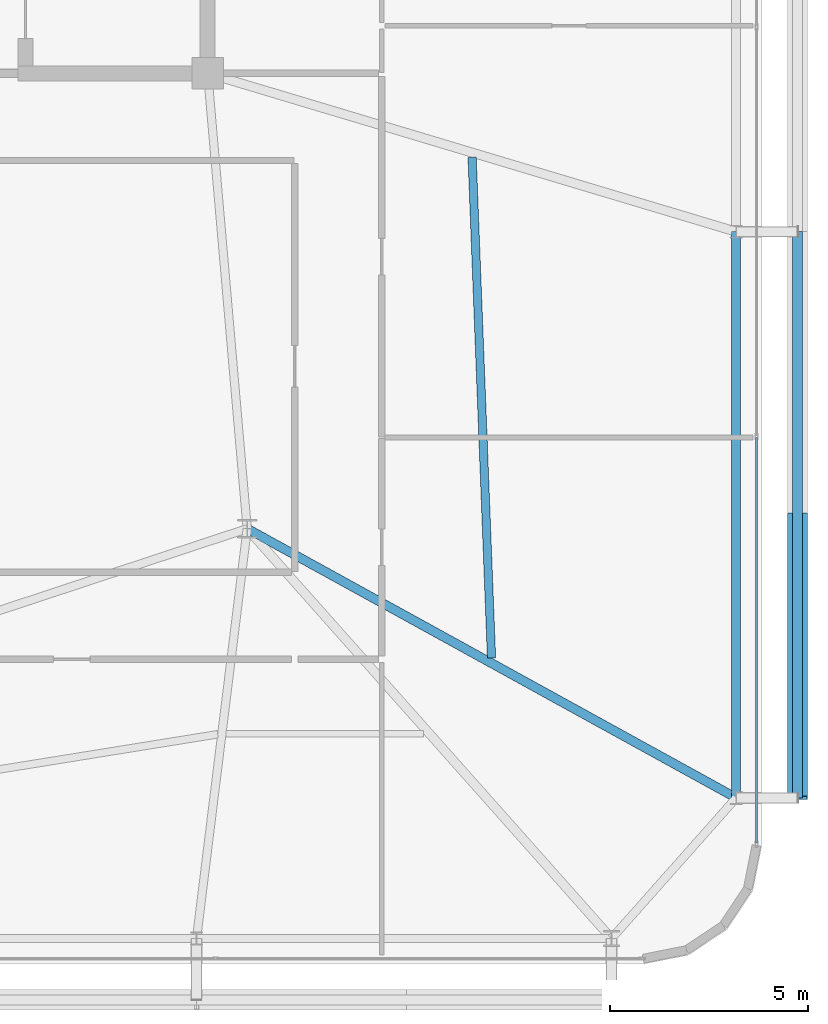
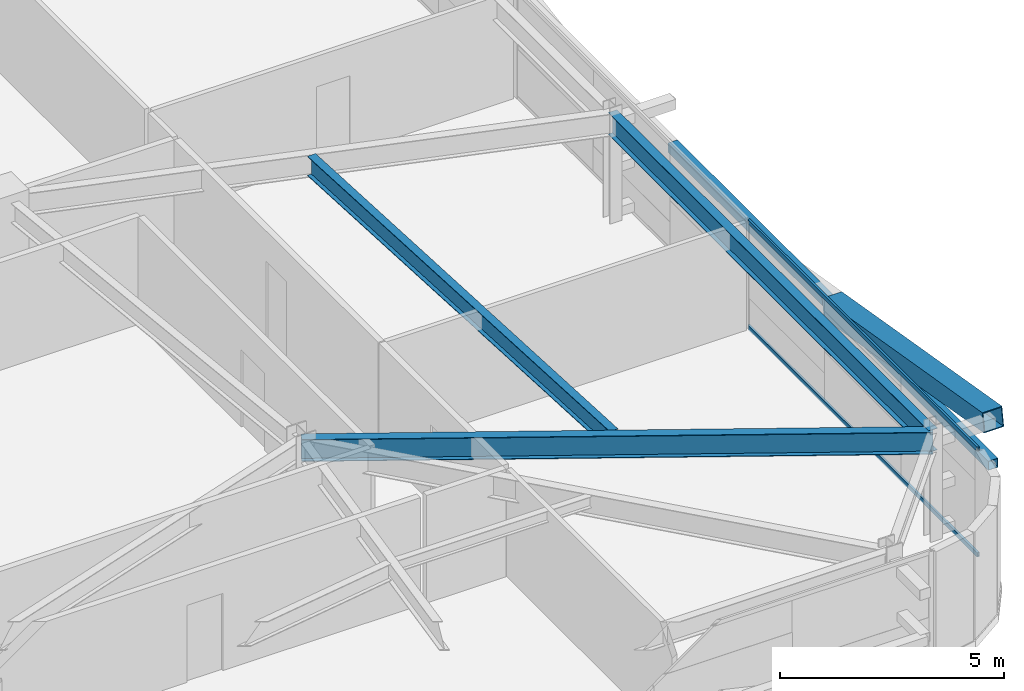
# One storey, part 16 of 44: 4 members, 3 beams, 1 element without a shape of its own.
"""IFC4 building model written with IfcOpenShell, lengths in metres."""

from ifc_helpers import new_model, si_unit, direction, frame, origin, origin_2d, place, context, subcontext, project, spatial, hollow_rectangle, i_section, extrude, source, transform, mapped, material, layer, layer_set, material_profile, profile_set, type_object, element, aggregate, save


model = new_model("IFC4")

# Units and contexts
model_context = context("Model", 3, precision=1e-05, world=origin(), true_north=direction((0.0, 1.0)))
body_context = subcontext(model_context, "Body", "Model", "MODEL_VIEW")
ifc_project = project(units=[si_unit("LENGTHUNIT", "METRE"), si_unit("AREAUNIT", "SQUARE_METRE"), si_unit("VOLUMEUNIT", "CUBIC_METRE"), si_unit("PLANEANGLEUNIT", "RADIAN"), si_unit("MASSUNIT", "GRAM", prefix="KILO")], contexts=[model_context])

# Site, building, storey
site_placement = place(None, origin())
site = spatial("IfcSite", under=ifc_project, at=site_placement, CompositionType="ELEMENT")
building_placement = place(site_placement, origin())
building = spatial("IfcBuilding", under=site, at=building_placement, Name="Taldren Reach Tower", CompositionType="ELEMENT")
storey_placement = place(building_placement, frame((0.0, 0.0, 38.85009765625)))
storey = spatial("IfcBuildingStorey", under=building, at=storey_placement, Name="L11", CompositionType="ELEMENT", Elevation=38.85009765625)

# Beams
ifc_material_1 = material(Name="Steel Gr 350 (350PLUS)", Category="steel")
ifc_material_profile_1 = material_profile(ifc_material_1, i_section(OverallWidth=0.22802734375, OverallDepth=0.60205078125, WebThickness=0.010498046875, FlangeThickness=0.014892578125, at=origin_2d()), Name="610UB101")
ifc_profile_set_1 = profile_set([ifc_material_profile_1], Name="Steel Gr 350 (350PLUS)")
beam_type_1 = type_object("IfcBeamType", Name="BM-UB610B", PredefinedType="BEAM", material=ifc_profile_set_1)
shared_shape_1 = source(origin(), body_context, "Body", "SweptSolid", [
    extrude(i_section(OverallWidth=0.22802734375, OverallDepth=0.60205078125, WebThickness=0.010498046875, FlangeThickness=0.014892578125, at=origin_2d()), origin(), (0.0, 0.0, 1.0), 14.300048828125),
])
beam_1_placement = place(storey_placement, frame((64.35009765625, 5.699951171875, 2.62890625), z_axis=(0.0, 1.0, 0.0), x_axis=(-1.0, 0.0, 0.0)))
element("IfcBeam", 1, at=beam_1_placement, inside=storey, type_object=beam_type_1, Name="Perimeter gable girder B1 E1-E2 L11", PredefinedType="BEAM", context=body_context, shape_type="MappedRepresentation", body=[
    mapped(shared_shape_1, transform((0.0, 0.0, 0.0), scale=1.0)),
])
shared_shape_2 = source(origin(), body_context, "Body", "SweptSolid", [
    extrude(i_section(OverallWidth=0.22802734375, OverallDepth=0.60205078125, WebThickness=0.010498046875, FlangeThickness=0.014892578125, at=origin_2d()), origin(), (0.0, 0.0, 1.0), 14.098388671875),
])
beam_2_placement = place(storey_placement, frame((52.0, 12.5, 2.62890625), z_axis=(0.875991325783, -0.482326857175, 0.0), x_axis=(0.482326857175, 0.875991325783, 0.0)))
element("IfcBeam", 2, at=beam_2_placement, inside=storey, type_object=beam_type_1, Name="Primary floor girder B1-E1 L11", PredefinedType="BEAM", context=body_context, shape_type="MappedRepresentation", body=[
    mapped(shared_shape_2, transform((0.0, 0.0, 0.0), scale=1.0)),
])
ifc_material_profile_2 = material_profile(ifc_material_1, i_section(OverallWidth=0.208984375, OverallDepth=0.532958984375, WebThickness=0.01025390625, FlangeThickness=0.015625, at=origin_2d()), Name="530UB92.4")
ifc_profile_set_2 = profile_set([ifc_material_profile_2], Name="Steel Gr 350 (350PLUS)")
beam_type_2 = type_object("IfcBeamType", Name="BM-UB530A", PredefinedType="BEAM", material=ifc_profile_set_2)
shared_shape_3 = source(origin(), body_context, "Body", "SweptSolid", [
    extrude(i_section(OverallWidth=0.208984375, OverallDepth=0.532958984375, WebThickness=0.01025390625, FlangeThickness=0.015625, at=origin_2d()), origin(), (0.0, 0.0, 1.0), 12.65625),
])
beam_3_placement = place(storey_placement, frame((58.169921875, 9.23291015625, 2.663330078125), z_axis=(-0.0387346395, 0.99924953225, 0.0), x_axis=(-0.99924953225, -0.0387346395, 0.0)))
element("IfcBeam", 3, at=beam_3_placement, inside=storey, type_object=beam_type_2, Name="Secondary floor beam B1 J7 L11", PredefinedType="BEAM", context=body_context, shape_type="MappedRepresentation", body=[
    mapped(shared_shape_3, transform((0.0, 0.0, 0.0), scale=1.0)),
])

# Members
ifc_material_2 = material(Name="Steel Gr 450 (C450L0)", Category="steel")
ifc_material_profile_3 = material_profile(ifc_material_2, hollow_rectangle(XDim=0.510009765625, YDim=0.510009765625, WallThickness=0.02001953125, at=origin_2d()), Name="510x510x20.0SHS")
ifc_profile_set_3 = profile_set([ifc_material_profile_3], Name="Steel Gr 450 (C450L0)")
member_type_1 = type_object("IfcMemberType", Name="MB-EXO508", PredefinedType="BRACE", material=ifc_profile_set_3)
shared_shape_4 = source(origin(), body_context, "Body", "SweptSolid", [
    extrude(hollow_rectangle(XDim=0.510009765625, YDim=0.510009765625, WallThickness=0.02001953125, at=origin_2d()), origin(), (0.0, 0.0, 1.0), 7.252685546875),
])
member_1_placement = place(storey_placement, frame((65.89990234375, 12.85009765625, 1.434814453125), z_axis=(0.0, -0.985865800628, 0.167536930711), x_axis=(1.0, 0.0, 0.0)))
element("IfcMember", 4, at=member_1_placement, inside=storey, type_object=member_type_1, Name="Exoskeleton Diagrid Brace B1-E1 L11", PredefinedType="BRACE", context=body_context, shape_type="MappedRepresentation", body=[
    mapped(shared_shape_4, transform((0.0, 0.0, 0.0), scale=1.0)),
])
ifc_material_3 = material(Name="Steel Gr 350 (C350L0)", Category="steel")
ifc_material_profile_4 = material_profile(ifc_material_3, hollow_rectangle(XDim=0.25, YDim=0.25, WallThickness=0.010009765625, at=origin_2d()), Name="250x250x10.0SHS")
ifc_profile_set_4 = profile_set([ifc_material_profile_4], Name="Steel Gr 350 (C350L0)")
member_type_2 = type_object("IfcMemberType", Name="MB-POST250", PredefinedType="POST", material=ifc_profile_set_4)
shared_shape_5 = source(origin(), body_context, "Body", "SweptSolid", [
    extrude(hollow_rectangle(XDim=0.25, YDim=0.25, WallThickness=0.010009765625, at=origin_2d()), origin(), (0.0, 0.0, 1.0), 14.300048828125),
])
member_2_placement = place(storey_placement, frame((65.89990234375, 5.699951171875, 1.434814453125), z_axis=(0.0, 1.0, 0.0), x_axis=(-1.0, 0.0, 0.0)))
element("IfcMember", 5, at=member_2_placement, inside=storey, type_object=member_type_2, Name="Exoskeleton mid-height ring chord B1-E1 L11", PredefinedType="POST", context=body_context, shape_type="MappedRepresentation", body=[
    mapped(shared_shape_5, transform((0.0, 0.0, 0.0), scale=1.0)),
])

# Curtain wall, members
ifc_material_4 = material(Name="Aluminium and Low-E Glass Unitised System", Category="aluminium")
ifc_layer = layer(ifc_material_4, 0.159912109375)
ifc_layer_set = layer_set([ifc_layer], Name="Aluminium and Low-E Glass Unitised System")
curtain_wall_type = type_object("IfcCurtainWallType", Name="CW-SYS-2", PredefinedType="NOTDEFINED", material=ifc_layer_set)
curtain_wall_placement = place(storey_placement, origin())
curtain_wall = element("IfcCurtainWall", 6, at=curtain_wall_placement, inside=storey, type_object=curtain_wall_type, Name="Unitised curtain wall CW-L11-E", PredefinedType="NOTDEFINED")
ifc_material_5 = material(Name="Anodised Aluminium 6063-T6", Category="aluminium")
ifc_material_profile_5 = material_profile(ifc_material_5, hollow_rectangle(XDim=0.054931640625, YDim=0.1201171875, WallThickness=0.0029296875, at=origin_2d()), Name="ALU-120x55x3RHS")
ifc_profile_set_5 = profile_set([ifc_material_profile_5], Name="Anodised Aluminium 6063-T6")
member_type_3 = type_object("IfcMemberType", Name="CW-TRN-135", PredefinedType="USERDEFINED", material=ifc_profile_set_5)
shared_shape_6 = source(origin(), body_context, "Body", "SweptSolid", [
    extrude(hollow_rectangle(XDim=0.054931640625, YDim=0.1201171875, WallThickness=0.0029296875, at=origin_2d()), origin(), (0.0, 0.0, 1.0), 10.23583984375),
])
member_3_placement = place(storey_placement, frame((64.860107421875, 4.56494140625, 0.02734375), z_axis=(0.0, 1.0, 0.0), x_axis=(-1.0, 0.0, 0.0)))
member_3 = element("IfcMember", 7, at=member_3_placement, type_object=member_type_3, Name="CW-2 transom 1.1", ObjectType="TRANSOM", PredefinedType="USERDEFINED", context=body_context, shape_type="MappedRepresentation", body=[
    mapped(shared_shape_6, transform((0.0, 0.0, 0.0), scale=1.0)),
])
member_4_placement = place(storey_placement, frame((64.860107421875, 4.56494140625, 2.90234375), z_axis=(0.0, 1.0, 0.0), x_axis=(-1.0, 0.0, 0.0)))
member_4 = element("IfcMember", 8, at=member_4_placement, type_object=member_type_3, Name="CW-2 transom 1.2", ObjectType="TRANSOM", PredefinedType="USERDEFINED", context=body_context, shape_type="MappedRepresentation", body=[
    mapped(shared_shape_6, transform((0.0, 0.0, 0.0), scale=1.0)),
])
aggregate(curtain_wall, [member_3, member_4])

save(model, "model.ifc")
